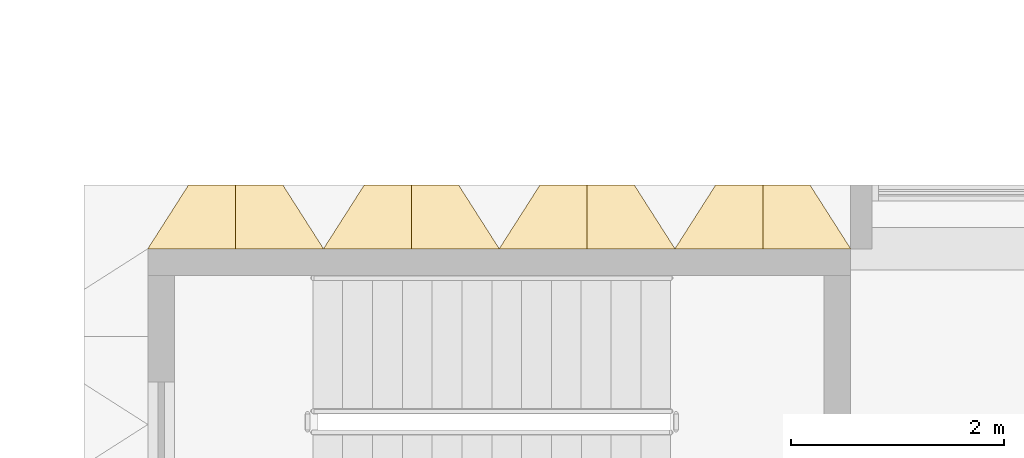
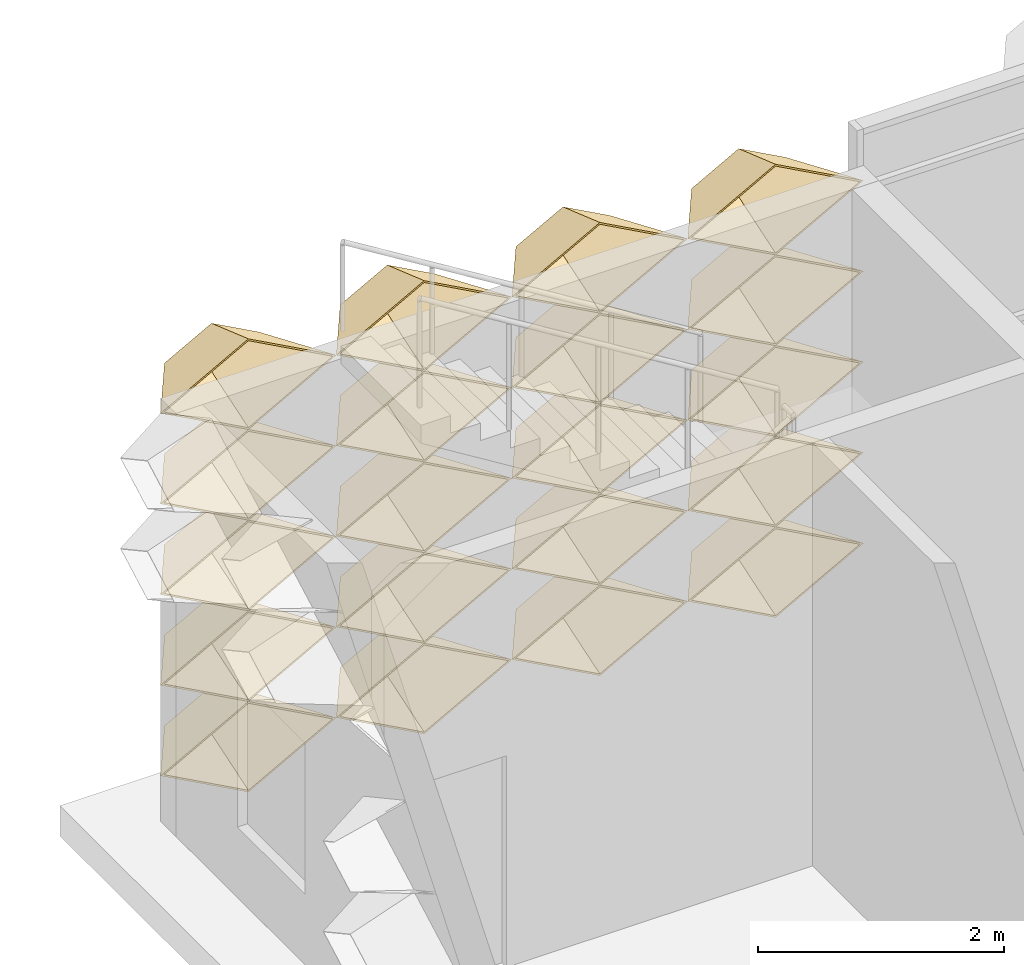
# One storey, part 49 of 85: 20 coverings.
"""IFC4 building model written with IfcOpenShell, lengths in metres."""

from ifc_helpers import new_model, entity, si_unit, direction, frame, origin, place, context, subcontext, project, spatial, material, layer, layer_set, type_object, element, save


model = new_model("IFC4")

# Units and contexts
model_context = context("Model", 3, precision=1e-05, world=origin(), true_north=direction((0.0, 1.0)))
body_context = subcontext(model_context, "Body", "Model", "MODEL_VIEW")
ifc_project = project(units=[si_unit("LENGTHUNIT", "METRE"), si_unit("AREAUNIT", "SQUARE_METRE"), si_unit("VOLUMEUNIT", "CUBIC_METRE"), si_unit("PLANEANGLEUNIT", "RADIAN"), si_unit("MASSUNIT", "GRAM", prefix="KILO")], contexts=[model_context])

# Site, building, storey
site_placement = place(None, origin())
site = spatial("IfcSite", under=ifc_project, at=site_placement, CompositionType="ELEMENT")
building_placement = place(site_placement, origin())
building = spatial("IfcBuilding", under=site, at=building_placement, Name="Lantern Court Research Institute", CompositionType="ELEMENT")
storey_placement = place(building_placement, frame((0.0, 0.0, 18.89990234375)))
storey = spatial("IfcBuildingStorey", under=building, at=storey_placement, Name="L04", CompositionType="ELEMENT", Elevation=18.89990234375)

# Coverings
ifc_material = material(Name="Anodised aluminium", Category="aluminium")
ifc_layer = layer(ifc_material, 0.01611328125)
ifc_layer_set = layer_set([ifc_layer], Name="Anodised aluminium")
covering_type = type_object("IfcCoveringType", Name="Fin cassette 1650 x 900 x 600 aluminium", PredefinedType="CLADDING", material=ifc_layer_set)
covering_1_placement = place(storey_placement, frame((0.824951171875, 23.10009765625, 0.4501953125), z_axis=(0.0, 1.0, 0.0), x_axis=(-1.0, 0.0, 0.0)))
cartesian_point_1 = entity("IfcCartesianPoint", [0.824951171875, 0.0])
cartesian_point_2 = entity("IfcCartesianPoint", [0.79150390625, 0.0])
cartesian_point_3 = entity("IfcCartesianPoint", [0.44189453125, 0.0])
cartesian_point_4 = entity("IfcCartesianPoint", [0.43359375, 0.0])
element("IfcCovering", 1, at=covering_1_placement, inside=storey, type_object=covering_type, Name="Fin cassette V4N-L04 1.1", PredefinedType="CLADDING", context=body_context, shape_type="SweptSolid", body=[
    entity("IfcExtrudedAreaSolidTapered", entity("IfcArbitraryProfileDefWithVoids", "AREA", None, entity("IfcPolyline", [cartesian_point_1, entity("IfcCartesianPoint", [0.0, 0.449951171875]), entity("IfcCartesianPoint", [-0.824951171875, 0.0]), entity("IfcCartesianPoint", [0.0, -0.449951171875]), cartesian_point_1]), [entity("IfcPolyline", [cartesian_point_2, entity("IfcCartesianPoint", [0.0, 0.431884765625]), entity("IfcCartesianPoint", [-0.79150390625, 0.0]), entity("IfcCartesianPoint", [0.0, -0.431884765625]), cartesian_point_2])]), entity("IfcAxis2Placement3D", entity("IfcCartesianPoint", [0.0, 0.0, 0.0])), entity("IfcDirection", [0.0, 0.0, 1.0]), 0.60009765625, entity("IfcArbitraryProfileDefWithVoids", "AREA", None, entity("IfcPolyline", [cartesian_point_3, entity("IfcCartesianPoint", [0.0, 0.240966796875]), entity("IfcCartesianPoint", [-0.44189453125, 0.0]), entity("IfcCartesianPoint", [0.0, -0.240966796875]), cartesian_point_3]), [entity("IfcPolyline", [cartesian_point_4, entity("IfcCartesianPoint", [0.0, 0.236572265625]), entity("IfcCartesianPoint", [-0.43359375, 0.0]), entity("IfcCartesianPoint", [0.0, -0.236572265625]), cartesian_point_4])])),
])
covering_2_placement = place(storey_placement, frame((2.47509765625, 23.10009765625, 0.4501953125), z_axis=(0.0, 1.0, 0.0), x_axis=(-1.0, 0.0, 0.0)))
cartesian_point_5 = entity("IfcCartesianPoint", [0.824951171875, 0.0])
cartesian_point_6 = entity("IfcCartesianPoint", [0.79150390625, 0.0])
cartesian_point_7 = entity("IfcCartesianPoint", [0.44189453125, 0.0])
cartesian_point_8 = entity("IfcCartesianPoint", [0.43359375, 0.0])
element("IfcCovering", 2, at=covering_2_placement, inside=storey, type_object=covering_type, Name="Fin cassette V4N-L04 1.2", PredefinedType="CLADDING", context=body_context, shape_type="SweptSolid", body=[
    entity("IfcExtrudedAreaSolidTapered", entity("IfcArbitraryProfileDefWithVoids", "AREA", None, entity("IfcPolyline", [cartesian_point_5, entity("IfcCartesianPoint", [0.0, 0.449951171875]), entity("IfcCartesianPoint", [-0.824951171875, 0.0]), entity("IfcCartesianPoint", [0.0, -0.449951171875]), cartesian_point_5]), [entity("IfcPolyline", [cartesian_point_6, entity("IfcCartesianPoint", [0.0, 0.431884765625]), entity("IfcCartesianPoint", [-0.79150390625, 0.0]), entity("IfcCartesianPoint", [0.0, -0.431884765625]), cartesian_point_6])]), entity("IfcAxis2Placement3D", entity("IfcCartesianPoint", [0.0, 0.0, 0.0])), entity("IfcDirection", [0.0, 0.0, 1.0]), 0.60009765625, entity("IfcArbitraryProfileDefWithVoids", "AREA", None, entity("IfcPolyline", [cartesian_point_7, entity("IfcCartesianPoint", [0.0, 0.240966796875]), entity("IfcCartesianPoint", [-0.44189453125, 0.0]), entity("IfcCartesianPoint", [0.0, -0.240966796875]), cartesian_point_7]), [entity("IfcPolyline", [cartesian_point_8, entity("IfcCartesianPoint", [0.0, 0.236572265625]), entity("IfcCartesianPoint", [-0.43359375, 0.0]), entity("IfcCartesianPoint", [0.0, -0.236572265625]), cartesian_point_8])])),
])
covering_3_placement = place(storey_placement, frame((4.125, 23.10009765625, 0.4501953125), z_axis=(0.0, 1.0, 0.0), x_axis=(-1.0, 0.0, 0.0)))
cartesian_point_9 = entity("IfcCartesianPoint", [0.824951171875, 0.0])
cartesian_point_10 = entity("IfcCartesianPoint", [0.79150390625, 0.0])
cartesian_point_11 = entity("IfcCartesianPoint", [0.44189453125, 0.0])
cartesian_point_12 = entity("IfcCartesianPoint", [0.43359375, 0.0])
element("IfcCovering", 3, at=covering_3_placement, inside=storey, type_object=covering_type, Name="Fin cassette V4N-L04 1.3", PredefinedType="CLADDING", context=body_context, shape_type="SweptSolid", body=[
    entity("IfcExtrudedAreaSolidTapered", entity("IfcArbitraryProfileDefWithVoids", "AREA", None, entity("IfcPolyline", [cartesian_point_9, entity("IfcCartesianPoint", [0.0, 0.449951171875]), entity("IfcCartesianPoint", [-0.824951171875, 0.0]), entity("IfcCartesianPoint", [0.0, -0.449951171875]), cartesian_point_9]), [entity("IfcPolyline", [cartesian_point_10, entity("IfcCartesianPoint", [0.0, 0.431884765625]), entity("IfcCartesianPoint", [-0.79150390625, 0.0]), entity("IfcCartesianPoint", [0.0, -0.431884765625]), cartesian_point_10])]), entity("IfcAxis2Placement3D", entity("IfcCartesianPoint", [0.0, 0.0, 0.0])), entity("IfcDirection", [0.0, 0.0, 1.0]), 0.60009765625, entity("IfcArbitraryProfileDefWithVoids", "AREA", None, entity("IfcPolyline", [cartesian_point_11, entity("IfcCartesianPoint", [0.0, 0.240966796875]), entity("IfcCartesianPoint", [-0.44189453125, 0.0]), entity("IfcCartesianPoint", [0.0, -0.240966796875]), cartesian_point_11]), [entity("IfcPolyline", [cartesian_point_12, entity("IfcCartesianPoint", [0.0, 0.236572265625]), entity("IfcCartesianPoint", [-0.43359375, 0.0]), entity("IfcCartesianPoint", [0.0, -0.236572265625]), cartesian_point_12])])),
])
covering_4_placement = place(storey_placement, frame((5.77490234375, 23.10009765625, 0.4501953125), z_axis=(0.0, 1.0, 0.0), x_axis=(-1.0, 0.0, 0.0)))
cartesian_point_13 = entity("IfcCartesianPoint", [0.824951171875, 0.0])
cartesian_point_14 = entity("IfcCartesianPoint", [0.79150390625, 0.0])
cartesian_point_15 = entity("IfcCartesianPoint", [0.44189453125, 0.0])
cartesian_point_16 = entity("IfcCartesianPoint", [0.43359375, 0.0])
element("IfcCovering", 4, at=covering_4_placement, inside=storey, type_object=covering_type, Name="Fin cassette V4N-L04 1.4", PredefinedType="CLADDING", context=body_context, shape_type="SweptSolid", body=[
    entity("IfcExtrudedAreaSolidTapered", entity("IfcArbitraryProfileDefWithVoids", "AREA", None, entity("IfcPolyline", [cartesian_point_13, entity("IfcCartesianPoint", [0.0, 0.449951171875]), entity("IfcCartesianPoint", [-0.824951171875, 0.0]), entity("IfcCartesianPoint", [0.0, -0.449951171875]), cartesian_point_13]), [entity("IfcPolyline", [cartesian_point_14, entity("IfcCartesianPoint", [0.0, 0.431884765625]), entity("IfcCartesianPoint", [-0.79150390625, 0.0]), entity("IfcCartesianPoint", [0.0, -0.431884765625]), cartesian_point_14])]), entity("IfcAxis2Placement3D", entity("IfcCartesianPoint", [0.0, 0.0, 0.0])), entity("IfcDirection", [0.0, 0.0, 1.0]), 0.60009765625, entity("IfcArbitraryProfileDefWithVoids", "AREA", None, entity("IfcPolyline", [cartesian_point_15, entity("IfcCartesianPoint", [0.0, 0.240966796875]), entity("IfcCartesianPoint", [-0.44189453125, 0.0]), entity("IfcCartesianPoint", [0.0, -0.240966796875]), cartesian_point_15]), [entity("IfcPolyline", [cartesian_point_16, entity("IfcCartesianPoint", [0.0, 0.236572265625]), entity("IfcCartesianPoint", [-0.43359375, 0.0]), entity("IfcCartesianPoint", [0.0, -0.236572265625]), cartesian_point_16])])),
])
covering_5_placement = place(storey_placement, frame((0.824951171875, 23.10009765625, 1.35009765625), z_axis=(0.0, 1.0, 0.0), x_axis=(-1.0, 0.0, 0.0)))
cartesian_point_17 = entity("IfcCartesianPoint", [0.824951171875, 0.0])
cartesian_point_18 = entity("IfcCartesianPoint", [0.79150390625, 0.0])
cartesian_point_19 = entity("IfcCartesianPoint", [0.44189453125, 0.0])
cartesian_point_20 = entity("IfcCartesianPoint", [0.43359375, 0.0])
element("IfcCovering", 5, at=covering_5_placement, inside=storey, type_object=covering_type, Name="Fin cassette V4N-L04 2.1", PredefinedType="CLADDING", context=body_context, shape_type="SweptSolid", body=[
    entity("IfcExtrudedAreaSolidTapered", entity("IfcArbitraryProfileDefWithVoids", "AREA", None, entity("IfcPolyline", [cartesian_point_17, entity("IfcCartesianPoint", [0.0, 0.449951171875]), entity("IfcCartesianPoint", [-0.824951171875, 0.0]), entity("IfcCartesianPoint", [0.0, -0.449951171875]), cartesian_point_17]), [entity("IfcPolyline", [cartesian_point_18, entity("IfcCartesianPoint", [0.0, 0.431884765625]), entity("IfcCartesianPoint", [-0.79150390625, 0.0]), entity("IfcCartesianPoint", [0.0, -0.431884765625]), cartesian_point_18])]), entity("IfcAxis2Placement3D", entity("IfcCartesianPoint", [0.0, 0.0, 0.0])), entity("IfcDirection", [0.0, 0.0, 1.0]), 0.60009765625, entity("IfcArbitraryProfileDefWithVoids", "AREA", None, entity("IfcPolyline", [cartesian_point_19, entity("IfcCartesianPoint", [0.0, 0.240966796875]), entity("IfcCartesianPoint", [-0.44189453125, 0.0]), entity("IfcCartesianPoint", [0.0, -0.240966796875]), cartesian_point_19]), [entity("IfcPolyline", [cartesian_point_20, entity("IfcCartesianPoint", [0.0, 0.236572265625]), entity("IfcCartesianPoint", [-0.43359375, 0.0]), entity("IfcCartesianPoint", [0.0, -0.236572265625]), cartesian_point_20])])),
])
covering_6_placement = place(storey_placement, frame((2.47509765625, 23.10009765625, 1.35009765625), z_axis=(0.0, 1.0, 0.0), x_axis=(-1.0, 0.0, 0.0)))
cartesian_point_21 = entity("IfcCartesianPoint", [0.824951171875, 0.0])
cartesian_point_22 = entity("IfcCartesianPoint", [0.79150390625, 0.0])
cartesian_point_23 = entity("IfcCartesianPoint", [0.44189453125, 0.0])
cartesian_point_24 = entity("IfcCartesianPoint", [0.43359375, 0.0])
element("IfcCovering", 6, at=covering_6_placement, inside=storey, type_object=covering_type, Name="Fin cassette V4N-L04 2.2", PredefinedType="CLADDING", context=body_context, shape_type="SweptSolid", body=[
    entity("IfcExtrudedAreaSolidTapered", entity("IfcArbitraryProfileDefWithVoids", "AREA", None, entity("IfcPolyline", [cartesian_point_21, entity("IfcCartesianPoint", [0.0, 0.449951171875]), entity("IfcCartesianPoint", [-0.824951171875, 0.0]), entity("IfcCartesianPoint", [0.0, -0.449951171875]), cartesian_point_21]), [entity("IfcPolyline", [cartesian_point_22, entity("IfcCartesianPoint", [0.0, 0.431884765625]), entity("IfcCartesianPoint", [-0.79150390625, 0.0]), entity("IfcCartesianPoint", [0.0, -0.431884765625]), cartesian_point_22])]), entity("IfcAxis2Placement3D", entity("IfcCartesianPoint", [0.0, 0.0, 0.0])), entity("IfcDirection", [0.0, 0.0, 1.0]), 0.60009765625, entity("IfcArbitraryProfileDefWithVoids", "AREA", None, entity("IfcPolyline", [cartesian_point_23, entity("IfcCartesianPoint", [0.0, 0.240966796875]), entity("IfcCartesianPoint", [-0.44189453125, 0.0]), entity("IfcCartesianPoint", [0.0, -0.240966796875]), cartesian_point_23]), [entity("IfcPolyline", [cartesian_point_24, entity("IfcCartesianPoint", [0.0, 0.236572265625]), entity("IfcCartesianPoint", [-0.43359375, 0.0]), entity("IfcCartesianPoint", [0.0, -0.236572265625]), cartesian_point_24])])),
])
covering_7_placement = place(storey_placement, frame((4.125, 23.10009765625, 1.35009765625), z_axis=(0.0, 1.0, 0.0), x_axis=(-1.0, 0.0, 0.0)))
cartesian_point_25 = entity("IfcCartesianPoint", [0.824951171875, 0.0])
cartesian_point_26 = entity("IfcCartesianPoint", [0.79150390625, 0.0])
cartesian_point_27 = entity("IfcCartesianPoint", [0.44189453125, 0.0])
cartesian_point_28 = entity("IfcCartesianPoint", [0.43359375, 0.0])
element("IfcCovering", 7, at=covering_7_placement, inside=storey, type_object=covering_type, Name="Fin cassette V4N-L04 2.3", PredefinedType="CLADDING", context=body_context, shape_type="SweptSolid", body=[
    entity("IfcExtrudedAreaSolidTapered", entity("IfcArbitraryProfileDefWithVoids", "AREA", None, entity("IfcPolyline", [cartesian_point_25, entity("IfcCartesianPoint", [0.0, 0.449951171875]), entity("IfcCartesianPoint", [-0.824951171875, 0.0]), entity("IfcCartesianPoint", [0.0, -0.449951171875]), cartesian_point_25]), [entity("IfcPolyline", [cartesian_point_26, entity("IfcCartesianPoint", [0.0, 0.431884765625]), entity("IfcCartesianPoint", [-0.79150390625, 0.0]), entity("IfcCartesianPoint", [0.0, -0.431884765625]), cartesian_point_26])]), entity("IfcAxis2Placement3D", entity("IfcCartesianPoint", [0.0, 0.0, 0.0])), entity("IfcDirection", [0.0, 0.0, 1.0]), 0.60009765625, entity("IfcArbitraryProfileDefWithVoids", "AREA", None, entity("IfcPolyline", [cartesian_point_27, entity("IfcCartesianPoint", [0.0, 0.240966796875]), entity("IfcCartesianPoint", [-0.44189453125, 0.0]), entity("IfcCartesianPoint", [0.0, -0.240966796875]), cartesian_point_27]), [entity("IfcPolyline", [cartesian_point_28, entity("IfcCartesianPoint", [0.0, 0.236572265625]), entity("IfcCartesianPoint", [-0.43359375, 0.0]), entity("IfcCartesianPoint", [0.0, -0.236572265625]), cartesian_point_28])])),
])
covering_8_placement = place(storey_placement, frame((5.77490234375, 23.10009765625, 1.35009765625), z_axis=(0.0, 1.0, 0.0), x_axis=(-1.0, 0.0, 0.0)))
cartesian_point_29 = entity("IfcCartesianPoint", [0.824951171875, 0.0])
cartesian_point_30 = entity("IfcCartesianPoint", [0.79150390625, 0.0])
cartesian_point_31 = entity("IfcCartesianPoint", [0.44189453125, 0.0])
cartesian_point_32 = entity("IfcCartesianPoint", [0.43359375, 0.0])
element("IfcCovering", 8, at=covering_8_placement, inside=storey, type_object=covering_type, Name="Fin cassette V4N-L04 2.4", PredefinedType="CLADDING", context=body_context, shape_type="SweptSolid", body=[
    entity("IfcExtrudedAreaSolidTapered", entity("IfcArbitraryProfileDefWithVoids", "AREA", None, entity("IfcPolyline", [cartesian_point_29, entity("IfcCartesianPoint", [0.0, 0.449951171875]), entity("IfcCartesianPoint", [-0.824951171875, 0.0]), entity("IfcCartesianPoint", [0.0, -0.449951171875]), cartesian_point_29]), [entity("IfcPolyline", [cartesian_point_30, entity("IfcCartesianPoint", [0.0, 0.431884765625]), entity("IfcCartesianPoint", [-0.79150390625, 0.0]), entity("IfcCartesianPoint", [0.0, -0.431884765625]), cartesian_point_30])]), entity("IfcAxis2Placement3D", entity("IfcCartesianPoint", [0.0, 0.0, 0.0])), entity("IfcDirection", [0.0, 0.0, 1.0]), 0.60009765625, entity("IfcArbitraryProfileDefWithVoids", "AREA", None, entity("IfcPolyline", [cartesian_point_31, entity("IfcCartesianPoint", [0.0, 0.240966796875]), entity("IfcCartesianPoint", [-0.44189453125, 0.0]), entity("IfcCartesianPoint", [0.0, -0.240966796875]), cartesian_point_31]), [entity("IfcPolyline", [cartesian_point_32, entity("IfcCartesianPoint", [0.0, 0.236572265625]), entity("IfcCartesianPoint", [-0.43359375, 0.0]), entity("IfcCartesianPoint", [0.0, -0.236572265625]), cartesian_point_32])])),
])
covering_9_placement = place(storey_placement, frame((0.824951171875, 23.10009765625, 2.25), z_axis=(0.0, 1.0, 0.0), x_axis=(-1.0, 0.0, 0.0)))
cartesian_point_33 = entity("IfcCartesianPoint", [0.824951171875, 0.0])
cartesian_point_34 = entity("IfcCartesianPoint", [0.79150390625, 0.0])
cartesian_point_35 = entity("IfcCartesianPoint", [0.44189453125, 0.0])
cartesian_point_36 = entity("IfcCartesianPoint", [0.43359375, 0.0])
element("IfcCovering", 9, at=covering_9_placement, inside=storey, type_object=covering_type, Name="Fin cassette V4N-L04 3.1", PredefinedType="CLADDING", context=body_context, shape_type="SweptSolid", body=[
    entity("IfcExtrudedAreaSolidTapered", entity("IfcArbitraryProfileDefWithVoids", "AREA", None, entity("IfcPolyline", [cartesian_point_33, entity("IfcCartesianPoint", [0.0, 0.449951171875]), entity("IfcCartesianPoint", [-0.824951171875, 0.0]), entity("IfcCartesianPoint", [0.0, -0.449951171875]), cartesian_point_33]), [entity("IfcPolyline", [cartesian_point_34, entity("IfcCartesianPoint", [0.0, 0.431884765625]), entity("IfcCartesianPoint", [-0.79150390625, 0.0]), entity("IfcCartesianPoint", [0.0, -0.431884765625]), cartesian_point_34])]), entity("IfcAxis2Placement3D", entity("IfcCartesianPoint", [0.0, 0.0, 0.0])), entity("IfcDirection", [0.0, 0.0, 1.0]), 0.60009765625, entity("IfcArbitraryProfileDefWithVoids", "AREA", None, entity("IfcPolyline", [cartesian_point_35, entity("IfcCartesianPoint", [0.0, 0.240966796875]), entity("IfcCartesianPoint", [-0.44189453125, 0.0]), entity("IfcCartesianPoint", [0.0, -0.240966796875]), cartesian_point_35]), [entity("IfcPolyline", [cartesian_point_36, entity("IfcCartesianPoint", [0.0, 0.236572265625]), entity("IfcCartesianPoint", [-0.43359375, 0.0]), entity("IfcCartesianPoint", [0.0, -0.236572265625]), cartesian_point_36])])),
])
covering_10_placement = place(storey_placement, frame((2.47509765625, 23.10009765625, 2.25), z_axis=(0.0, 1.0, 0.0), x_axis=(-1.0, 0.0, 0.0)))
cartesian_point_37 = entity("IfcCartesianPoint", [0.824951171875, 0.0])
cartesian_point_38 = entity("IfcCartesianPoint", [0.79150390625, 0.0])
cartesian_point_39 = entity("IfcCartesianPoint", [0.44189453125, 0.0])
cartesian_point_40 = entity("IfcCartesianPoint", [0.43359375, 0.0])
element("IfcCovering", 10, at=covering_10_placement, inside=storey, type_object=covering_type, Name="Fin cassette V4N-L04 3.2", PredefinedType="CLADDING", context=body_context, shape_type="SweptSolid", body=[
    entity("IfcExtrudedAreaSolidTapered", entity("IfcArbitraryProfileDefWithVoids", "AREA", None, entity("IfcPolyline", [cartesian_point_37, entity("IfcCartesianPoint", [0.0, 0.449951171875]), entity("IfcCartesianPoint", [-0.824951171875, 0.0]), entity("IfcCartesianPoint", [0.0, -0.449951171875]), cartesian_point_37]), [entity("IfcPolyline", [cartesian_point_38, entity("IfcCartesianPoint", [0.0, 0.431884765625]), entity("IfcCartesianPoint", [-0.79150390625, 0.0]), entity("IfcCartesianPoint", [0.0, -0.431884765625]), cartesian_point_38])]), entity("IfcAxis2Placement3D", entity("IfcCartesianPoint", [0.0, 0.0, 0.0])), entity("IfcDirection", [0.0, 0.0, 1.0]), 0.60009765625, entity("IfcArbitraryProfileDefWithVoids", "AREA", None, entity("IfcPolyline", [cartesian_point_39, entity("IfcCartesianPoint", [0.0, 0.240966796875]), entity("IfcCartesianPoint", [-0.44189453125, 0.0]), entity("IfcCartesianPoint", [0.0, -0.240966796875]), cartesian_point_39]), [entity("IfcPolyline", [cartesian_point_40, entity("IfcCartesianPoint", [0.0, 0.236572265625]), entity("IfcCartesianPoint", [-0.43359375, 0.0]), entity("IfcCartesianPoint", [0.0, -0.236572265625]), cartesian_point_40])])),
])
covering_11_placement = place(storey_placement, frame((4.125, 23.10009765625, 2.25), z_axis=(0.0, 1.0, 0.0), x_axis=(-1.0, 0.0, 0.0)))
cartesian_point_41 = entity("IfcCartesianPoint", [0.824951171875, 0.0])
cartesian_point_42 = entity("IfcCartesianPoint", [0.79150390625, 0.0])
cartesian_point_43 = entity("IfcCartesianPoint", [0.44189453125, 0.0])
cartesian_point_44 = entity("IfcCartesianPoint", [0.43359375, 0.0])
element("IfcCovering", 11, at=covering_11_placement, inside=storey, type_object=covering_type, Name="Fin cassette V4N-L04 3.3", PredefinedType="CLADDING", context=body_context, shape_type="SweptSolid", body=[
    entity("IfcExtrudedAreaSolidTapered", entity("IfcArbitraryProfileDefWithVoids", "AREA", None, entity("IfcPolyline", [cartesian_point_41, entity("IfcCartesianPoint", [0.0, 0.449951171875]), entity("IfcCartesianPoint", [-0.824951171875, 0.0]), entity("IfcCartesianPoint", [0.0, -0.449951171875]), cartesian_point_41]), [entity("IfcPolyline", [cartesian_point_42, entity("IfcCartesianPoint", [0.0, 0.431884765625]), entity("IfcCartesianPoint", [-0.79150390625, 0.0]), entity("IfcCartesianPoint", [0.0, -0.431884765625]), cartesian_point_42])]), entity("IfcAxis2Placement3D", entity("IfcCartesianPoint", [0.0, 0.0, 0.0])), entity("IfcDirection", [0.0, 0.0, 1.0]), 0.60009765625, entity("IfcArbitraryProfileDefWithVoids", "AREA", None, entity("IfcPolyline", [cartesian_point_43, entity("IfcCartesianPoint", [0.0, 0.240966796875]), entity("IfcCartesianPoint", [-0.44189453125, 0.0]), entity("IfcCartesianPoint", [0.0, -0.240966796875]), cartesian_point_43]), [entity("IfcPolyline", [cartesian_point_44, entity("IfcCartesianPoint", [0.0, 0.236572265625]), entity("IfcCartesianPoint", [-0.43359375, 0.0]), entity("IfcCartesianPoint", [0.0, -0.236572265625]), cartesian_point_44])])),
])
covering_12_placement = place(storey_placement, frame((5.77490234375, 23.10009765625, 2.25), z_axis=(0.0, 1.0, 0.0), x_axis=(-1.0, 0.0, 0.0)))
cartesian_point_45 = entity("IfcCartesianPoint", [0.824951171875, 0.0])
cartesian_point_46 = entity("IfcCartesianPoint", [0.79150390625, 0.0])
cartesian_point_47 = entity("IfcCartesianPoint", [0.44189453125, 0.0])
cartesian_point_48 = entity("IfcCartesianPoint", [0.43359375, 0.0])
element("IfcCovering", 12, at=covering_12_placement, inside=storey, type_object=covering_type, Name="Fin cassette V4N-L04 3.4", PredefinedType="CLADDING", context=body_context, shape_type="SweptSolid", body=[
    entity("IfcExtrudedAreaSolidTapered", entity("IfcArbitraryProfileDefWithVoids", "AREA", None, entity("IfcPolyline", [cartesian_point_45, entity("IfcCartesianPoint", [0.0, 0.449951171875]), entity("IfcCartesianPoint", [-0.824951171875, 0.0]), entity("IfcCartesianPoint", [0.0, -0.449951171875]), cartesian_point_45]), [entity("IfcPolyline", [cartesian_point_46, entity("IfcCartesianPoint", [0.0, 0.431884765625]), entity("IfcCartesianPoint", [-0.79150390625, 0.0]), entity("IfcCartesianPoint", [0.0, -0.431884765625]), cartesian_point_46])]), entity("IfcAxis2Placement3D", entity("IfcCartesianPoint", [0.0, 0.0, 0.0])), entity("IfcDirection", [0.0, 0.0, 1.0]), 0.60009765625, entity("IfcArbitraryProfileDefWithVoids", "AREA", None, entity("IfcPolyline", [cartesian_point_47, entity("IfcCartesianPoint", [0.0, 0.240966796875]), entity("IfcCartesianPoint", [-0.44189453125, 0.0]), entity("IfcCartesianPoint", [0.0, -0.240966796875]), cartesian_point_47]), [entity("IfcPolyline", [cartesian_point_48, entity("IfcCartesianPoint", [0.0, 0.236572265625]), entity("IfcCartesianPoint", [-0.43359375, 0.0]), entity("IfcCartesianPoint", [0.0, -0.236572265625]), cartesian_point_48])])),
])
covering_13_placement = place(storey_placement, frame((0.824951171875, 23.10009765625, 3.150146484375), z_axis=(0.0, 1.0, 0.0), x_axis=(-1.0, 0.0, 0.0)))
cartesian_point_49 = entity("IfcCartesianPoint", [0.824951171875, 0.0])
cartesian_point_50 = entity("IfcCartesianPoint", [0.79150390625, 0.0])
cartesian_point_51 = entity("IfcCartesianPoint", [0.44189453125, 0.0])
cartesian_point_52 = entity("IfcCartesianPoint", [0.43359375, 0.0])
element("IfcCovering", 13, at=covering_13_placement, inside=storey, type_object=covering_type, Name="Fin cassette V4N-L04 4.1", PredefinedType="CLADDING", context=body_context, shape_type="SweptSolid", body=[
    entity("IfcExtrudedAreaSolidTapered", entity("IfcArbitraryProfileDefWithVoids", "AREA", None, entity("IfcPolyline", [cartesian_point_49, entity("IfcCartesianPoint", [0.0, 0.449951171875]), entity("IfcCartesianPoint", [-0.824951171875, 0.0]), entity("IfcCartesianPoint", [0.0, -0.449951171875]), cartesian_point_49]), [entity("IfcPolyline", [cartesian_point_50, entity("IfcCartesianPoint", [0.0, 0.431884765625]), entity("IfcCartesianPoint", [-0.79150390625, 0.0]), entity("IfcCartesianPoint", [0.0, -0.431884765625]), cartesian_point_50])]), entity("IfcAxis2Placement3D", entity("IfcCartesianPoint", [0.0, 0.0, 0.0])), entity("IfcDirection", [0.0, 0.0, 1.0]), 0.60009765625, entity("IfcArbitraryProfileDefWithVoids", "AREA", None, entity("IfcPolyline", [cartesian_point_51, entity("IfcCartesianPoint", [0.0, 0.240966796875]), entity("IfcCartesianPoint", [-0.44189453125, 0.0]), entity("IfcCartesianPoint", [0.0, -0.240966796875]), cartesian_point_51]), [entity("IfcPolyline", [cartesian_point_52, entity("IfcCartesianPoint", [0.0, 0.236572265625]), entity("IfcCartesianPoint", [-0.43359375, 0.0]), entity("IfcCartesianPoint", [0.0, -0.236572265625]), cartesian_point_52])])),
])
covering_14_placement = place(storey_placement, frame((2.47509765625, 23.10009765625, 3.150146484375), z_axis=(0.0, 1.0, 0.0), x_axis=(-1.0, 0.0, 0.0)))
cartesian_point_53 = entity("IfcCartesianPoint", [0.824951171875, 0.0])
cartesian_point_54 = entity("IfcCartesianPoint", [0.79150390625, 0.0])
cartesian_point_55 = entity("IfcCartesianPoint", [0.44189453125, 0.0])
cartesian_point_56 = entity("IfcCartesianPoint", [0.43359375, 0.0])
element("IfcCovering", 14, at=covering_14_placement, inside=storey, type_object=covering_type, Name="Fin cassette V4N-L04 4.2", PredefinedType="CLADDING", context=body_context, shape_type="SweptSolid", body=[
    entity("IfcExtrudedAreaSolidTapered", entity("IfcArbitraryProfileDefWithVoids", "AREA", None, entity("IfcPolyline", [cartesian_point_53, entity("IfcCartesianPoint", [0.0, 0.449951171875]), entity("IfcCartesianPoint", [-0.824951171875, 0.0]), entity("IfcCartesianPoint", [0.0, -0.449951171875]), cartesian_point_53]), [entity("IfcPolyline", [cartesian_point_54, entity("IfcCartesianPoint", [0.0, 0.431884765625]), entity("IfcCartesianPoint", [-0.79150390625, 0.0]), entity("IfcCartesianPoint", [0.0, -0.431884765625]), cartesian_point_54])]), entity("IfcAxis2Placement3D", entity("IfcCartesianPoint", [0.0, 0.0, 0.0])), entity("IfcDirection", [0.0, 0.0, 1.0]), 0.60009765625, entity("IfcArbitraryProfileDefWithVoids", "AREA", None, entity("IfcPolyline", [cartesian_point_55, entity("IfcCartesianPoint", [0.0, 0.240966796875]), entity("IfcCartesianPoint", [-0.44189453125, 0.0]), entity("IfcCartesianPoint", [0.0, -0.240966796875]), cartesian_point_55]), [entity("IfcPolyline", [cartesian_point_56, entity("IfcCartesianPoint", [0.0, 0.236572265625]), entity("IfcCartesianPoint", [-0.43359375, 0.0]), entity("IfcCartesianPoint", [0.0, -0.236572265625]), cartesian_point_56])])),
])
covering_15_placement = place(storey_placement, frame((4.125, 23.10009765625, 3.150146484375), z_axis=(0.0, 1.0, 0.0), x_axis=(-1.0, 0.0, 0.0)))
cartesian_point_57 = entity("IfcCartesianPoint", [0.824951171875, 0.0])
cartesian_point_58 = entity("IfcCartesianPoint", [0.79150390625, 0.0])
cartesian_point_59 = entity("IfcCartesianPoint", [0.44189453125, 0.0])
cartesian_point_60 = entity("IfcCartesianPoint", [0.43359375, 0.0])
element("IfcCovering", 15, at=covering_15_placement, inside=storey, type_object=covering_type, Name="Fin cassette V4N-L04 4.3", PredefinedType="CLADDING", context=body_context, shape_type="SweptSolid", body=[
    entity("IfcExtrudedAreaSolidTapered", entity("IfcArbitraryProfileDefWithVoids", "AREA", None, entity("IfcPolyline", [cartesian_point_57, entity("IfcCartesianPoint", [0.0, 0.449951171875]), entity("IfcCartesianPoint", [-0.824951171875, 0.0]), entity("IfcCartesianPoint", [0.0, -0.449951171875]), cartesian_point_57]), [entity("IfcPolyline", [cartesian_point_58, entity("IfcCartesianPoint", [0.0, 0.431884765625]), entity("IfcCartesianPoint", [-0.79150390625, 0.0]), entity("IfcCartesianPoint", [0.0, -0.431884765625]), cartesian_point_58])]), entity("IfcAxis2Placement3D", entity("IfcCartesianPoint", [0.0, 0.0, 0.0])), entity("IfcDirection", [0.0, 0.0, 1.0]), 0.60009765625, entity("IfcArbitraryProfileDefWithVoids", "AREA", None, entity("IfcPolyline", [cartesian_point_59, entity("IfcCartesianPoint", [0.0, 0.240966796875]), entity("IfcCartesianPoint", [-0.44189453125, 0.0]), entity("IfcCartesianPoint", [0.0, -0.240966796875]), cartesian_point_59]), [entity("IfcPolyline", [cartesian_point_60, entity("IfcCartesianPoint", [0.0, 0.236572265625]), entity("IfcCartesianPoint", [-0.43359375, 0.0]), entity("IfcCartesianPoint", [0.0, -0.236572265625]), cartesian_point_60])])),
])
covering_16_placement = place(storey_placement, frame((5.77490234375, 23.10009765625, 3.150146484375), z_axis=(0.0, 1.0, 0.0), x_axis=(-1.0, 0.0, 0.0)))
cartesian_point_61 = entity("IfcCartesianPoint", [0.824951171875, 0.0])
cartesian_point_62 = entity("IfcCartesianPoint", [0.79150390625, 0.0])
cartesian_point_63 = entity("IfcCartesianPoint", [0.44189453125, 0.0])
cartesian_point_64 = entity("IfcCartesianPoint", [0.43359375, 0.0])
element("IfcCovering", 16, at=covering_16_placement, inside=storey, type_object=covering_type, Name="Fin cassette V4N-L04 4.4", PredefinedType="CLADDING", context=body_context, shape_type="SweptSolid", body=[
    entity("IfcExtrudedAreaSolidTapered", entity("IfcArbitraryProfileDefWithVoids", "AREA", None, entity("IfcPolyline", [cartesian_point_61, entity("IfcCartesianPoint", [0.0, 0.449951171875]), entity("IfcCartesianPoint", [-0.824951171875, 0.0]), entity("IfcCartesianPoint", [0.0, -0.449951171875]), cartesian_point_61]), [entity("IfcPolyline", [cartesian_point_62, entity("IfcCartesianPoint", [0.0, 0.431884765625]), entity("IfcCartesianPoint", [-0.79150390625, 0.0]), entity("IfcCartesianPoint", [0.0, -0.431884765625]), cartesian_point_62])]), entity("IfcAxis2Placement3D", entity("IfcCartesianPoint", [0.0, 0.0, 0.0])), entity("IfcDirection", [0.0, 0.0, 1.0]), 0.60009765625, entity("IfcArbitraryProfileDefWithVoids", "AREA", None, entity("IfcPolyline", [cartesian_point_63, entity("IfcCartesianPoint", [0.0, 0.240966796875]), entity("IfcCartesianPoint", [-0.44189453125, 0.0]), entity("IfcCartesianPoint", [0.0, -0.240966796875]), cartesian_point_63]), [entity("IfcPolyline", [cartesian_point_64, entity("IfcCartesianPoint", [0.0, 0.236572265625]), entity("IfcCartesianPoint", [-0.43359375, 0.0]), entity("IfcCartesianPoint", [0.0, -0.236572265625]), cartesian_point_64])])),
])
covering_17_placement = place(storey_placement, frame((0.824951171875, 23.10009765625, 4.050048828125), z_axis=(0.0, 1.0, 0.0), x_axis=(-1.0, 0.0, 0.0)))
cartesian_point_65 = entity("IfcCartesianPoint", [0.824951171875, 0.0])
cartesian_point_66 = entity("IfcCartesianPoint", [0.79150390625, 0.0])
cartesian_point_67 = entity("IfcCartesianPoint", [0.44189453125, 0.0])
cartesian_point_68 = entity("IfcCartesianPoint", [0.43359375, 0.0])
element("IfcCovering", 17, at=covering_17_placement, inside=storey, type_object=covering_type, Name="Fin cassette V4N-L04 5.1", PredefinedType="CLADDING", context=body_context, shape_type="SweptSolid", body=[
    entity("IfcExtrudedAreaSolidTapered", entity("IfcArbitraryProfileDefWithVoids", "AREA", None, entity("IfcPolyline", [cartesian_point_65, entity("IfcCartesianPoint", [0.0, 0.449951171875]), entity("IfcCartesianPoint", [-0.824951171875, 0.0]), entity("IfcCartesianPoint", [0.0, -0.449951171875]), cartesian_point_65]), [entity("IfcPolyline", [cartesian_point_66, entity("IfcCartesianPoint", [0.0, 0.431884765625]), entity("IfcCartesianPoint", [-0.79150390625, 0.0]), entity("IfcCartesianPoint", [0.0, -0.431884765625]), cartesian_point_66])]), entity("IfcAxis2Placement3D", entity("IfcCartesianPoint", [0.0, 0.0, 0.0])), entity("IfcDirection", [0.0, 0.0, 1.0]), 0.60009765625, entity("IfcArbitraryProfileDefWithVoids", "AREA", None, entity("IfcPolyline", [cartesian_point_67, entity("IfcCartesianPoint", [0.0, 0.240966796875]), entity("IfcCartesianPoint", [-0.44189453125, 0.0]), entity("IfcCartesianPoint", [0.0, -0.240966796875]), cartesian_point_67]), [entity("IfcPolyline", [cartesian_point_68, entity("IfcCartesianPoint", [0.0, 0.236572265625]), entity("IfcCartesianPoint", [-0.43359375, 0.0]), entity("IfcCartesianPoint", [0.0, -0.236572265625]), cartesian_point_68])])),
])
covering_18_placement = place(storey_placement, frame((2.47509765625, 23.10009765625, 4.050048828125), z_axis=(0.0, 1.0, 0.0), x_axis=(-1.0, 0.0, 0.0)))
cartesian_point_69 = entity("IfcCartesianPoint", [0.824951171875, 0.0])
cartesian_point_70 = entity("IfcCartesianPoint", [0.79150390625, 0.0])
cartesian_point_71 = entity("IfcCartesianPoint", [0.44189453125, 0.0])
cartesian_point_72 = entity("IfcCartesianPoint", [0.43359375, 0.0])
element("IfcCovering", 18, at=covering_18_placement, inside=storey, type_object=covering_type, Name="Fin cassette V4N-L04 5.2", PredefinedType="CLADDING", context=body_context, shape_type="SweptSolid", body=[
    entity("IfcExtrudedAreaSolidTapered", entity("IfcArbitraryProfileDefWithVoids", "AREA", None, entity("IfcPolyline", [cartesian_point_69, entity("IfcCartesianPoint", [0.0, 0.449951171875]), entity("IfcCartesianPoint", [-0.824951171875, 0.0]), entity("IfcCartesianPoint", [0.0, -0.449951171875]), cartesian_point_69]), [entity("IfcPolyline", [cartesian_point_70, entity("IfcCartesianPoint", [0.0, 0.431884765625]), entity("IfcCartesianPoint", [-0.79150390625, 0.0]), entity("IfcCartesianPoint", [0.0, -0.431884765625]), cartesian_point_70])]), entity("IfcAxis2Placement3D", entity("IfcCartesianPoint", [0.0, 0.0, 0.0])), entity("IfcDirection", [0.0, 0.0, 1.0]), 0.60009765625, entity("IfcArbitraryProfileDefWithVoids", "AREA", None, entity("IfcPolyline", [cartesian_point_71, entity("IfcCartesianPoint", [0.0, 0.240966796875]), entity("IfcCartesianPoint", [-0.44189453125, 0.0]), entity("IfcCartesianPoint", [0.0, -0.240966796875]), cartesian_point_71]), [entity("IfcPolyline", [cartesian_point_72, entity("IfcCartesianPoint", [0.0, 0.236572265625]), entity("IfcCartesianPoint", [-0.43359375, 0.0]), entity("IfcCartesianPoint", [0.0, -0.236572265625]), cartesian_point_72])])),
])
covering_19_placement = place(storey_placement, frame((4.125, 23.10009765625, 4.050048828125), z_axis=(0.0, 1.0, 0.0), x_axis=(-1.0, 0.0, 0.0)))
cartesian_point_73 = entity("IfcCartesianPoint", [0.824951171875, 0.0])
cartesian_point_74 = entity("IfcCartesianPoint", [0.79150390625, 0.0])
cartesian_point_75 = entity("IfcCartesianPoint", [0.44189453125, 0.0])
cartesian_point_76 = entity("IfcCartesianPoint", [0.43359375, 0.0])
element("IfcCovering", 19, at=covering_19_placement, inside=storey, type_object=covering_type, Name="Fin cassette V4N-L04 5.3", PredefinedType="CLADDING", context=body_context, shape_type="SweptSolid", body=[
    entity("IfcExtrudedAreaSolidTapered", entity("IfcArbitraryProfileDefWithVoids", "AREA", None, entity("IfcPolyline", [cartesian_point_73, entity("IfcCartesianPoint", [0.0, 0.449951171875]), entity("IfcCartesianPoint", [-0.824951171875, 0.0]), entity("IfcCartesianPoint", [0.0, -0.449951171875]), cartesian_point_73]), [entity("IfcPolyline", [cartesian_point_74, entity("IfcCartesianPoint", [0.0, 0.431884765625]), entity("IfcCartesianPoint", [-0.79150390625, 0.0]), entity("IfcCartesianPoint", [0.0, -0.431884765625]), cartesian_point_74])]), entity("IfcAxis2Placement3D", entity("IfcCartesianPoint", [0.0, 0.0, 0.0])), entity("IfcDirection", [0.0, 0.0, 1.0]), 0.60009765625, entity("IfcArbitraryProfileDefWithVoids", "AREA", None, entity("IfcPolyline", [cartesian_point_75, entity("IfcCartesianPoint", [0.0, 0.240966796875]), entity("IfcCartesianPoint", [-0.44189453125, 0.0]), entity("IfcCartesianPoint", [0.0, -0.240966796875]), cartesian_point_75]), [entity("IfcPolyline", [cartesian_point_76, entity("IfcCartesianPoint", [0.0, 0.236572265625]), entity("IfcCartesianPoint", [-0.43359375, 0.0]), entity("IfcCartesianPoint", [0.0, -0.236572265625]), cartesian_point_76])])),
])
covering_20_placement = place(storey_placement, frame((5.77490234375, 23.10009765625, 4.050048828125), z_axis=(0.0, 1.0, 0.0), x_axis=(-1.0, 0.0, 0.0)))
cartesian_point_77 = entity("IfcCartesianPoint", [0.824951171875, 0.0])
cartesian_point_78 = entity("IfcCartesianPoint", [0.79150390625, 0.0])
cartesian_point_79 = entity("IfcCartesianPoint", [0.44189453125, 0.0])
cartesian_point_80 = entity("IfcCartesianPoint", [0.43359375, 0.0])
element("IfcCovering", 20, at=covering_20_placement, inside=storey, type_object=covering_type, Name="Fin cassette V4N-L04 5.4", PredefinedType="CLADDING", context=body_context, shape_type="SweptSolid", body=[
    entity("IfcExtrudedAreaSolidTapered", entity("IfcArbitraryProfileDefWithVoids", "AREA", None, entity("IfcPolyline", [cartesian_point_77, entity("IfcCartesianPoint", [0.0, 0.449951171875]), entity("IfcCartesianPoint", [-0.824951171875, 0.0]), entity("IfcCartesianPoint", [0.0, -0.449951171875]), cartesian_point_77]), [entity("IfcPolyline", [cartesian_point_78, entity("IfcCartesianPoint", [0.0, 0.431884765625]), entity("IfcCartesianPoint", [-0.79150390625, 0.0]), entity("IfcCartesianPoint", [0.0, -0.431884765625]), cartesian_point_78])]), entity("IfcAxis2Placement3D", entity("IfcCartesianPoint", [0.0, 0.0, 0.0])), entity("IfcDirection", [0.0, 0.0, 1.0]), 0.60009765625, entity("IfcArbitraryProfileDefWithVoids", "AREA", None, entity("IfcPolyline", [cartesian_point_79, entity("IfcCartesianPoint", [0.0, 0.240966796875]), entity("IfcCartesianPoint", [-0.44189453125, 0.0]), entity("IfcCartesianPoint", [0.0, -0.240966796875]), cartesian_point_79]), [entity("IfcPolyline", [cartesian_point_80, entity("IfcCartesianPoint", [0.0, 0.236572265625]), entity("IfcCartesianPoint", [-0.43359375, 0.0]), entity("IfcCartesianPoint", [0.0, -0.236572265625]), cartesian_point_80])])),
])

save(model, "model.ifc")
